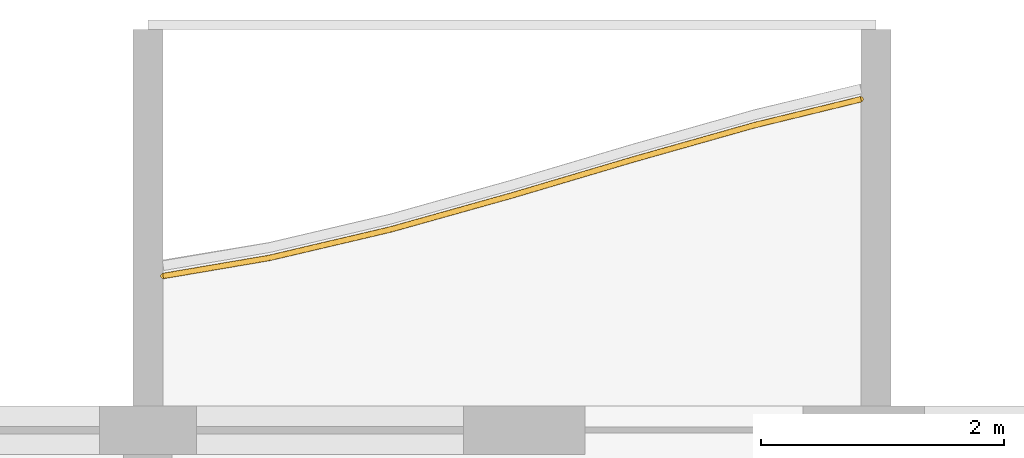
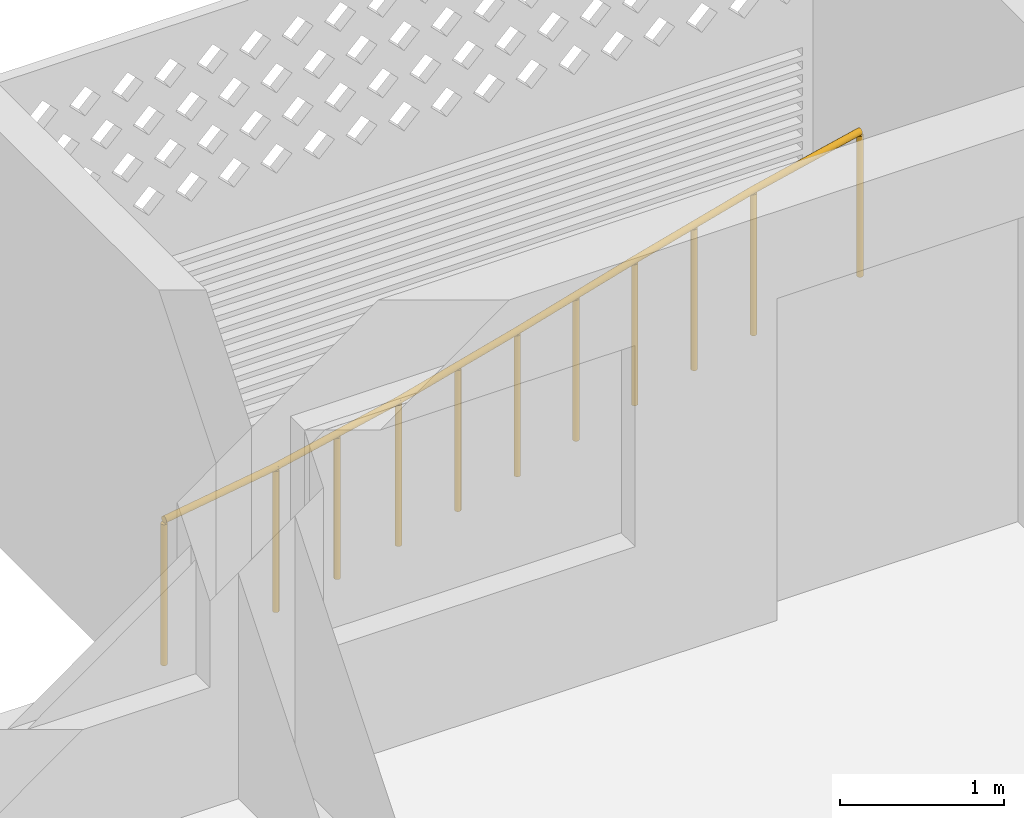
# One storey, part 26 of 40: 1 railing.
"""IFC4 building model written with IfcOpenShell, lengths in metres."""

from ifc_helpers import new_model, si_unit, direction, frame, origin, origin_2d, place, context, subcontext, project, spatial, circle, extrude, material, type_object, element, save


model = new_model("IFC4")

# Units and contexts
model_context = context("Model", 3, precision=1e-05, world=origin(), true_north=direction((0.0, 1.0)))
body_context = subcontext(model_context, "Body", "Model", "MODEL_VIEW")
ifc_project = project(units=[si_unit("LENGTHUNIT", "METRE"), si_unit("AREAUNIT", "SQUARE_METRE"), si_unit("VOLUMEUNIT", "CUBIC_METRE"), si_unit("PLANEANGLEUNIT", "RADIAN"), si_unit("MASSUNIT", "GRAM", prefix="KILO")], contexts=[model_context])

# Site, building, storey
site_placement = place(None, origin())
site = spatial("IfcSite", under=ifc_project, at=site_placement, CompositionType="ELEMENT")
building_placement = place(site_placement, origin())
building = spatial("IfcBuilding", under=site, at=building_placement, Name="Poui Terraces", CompositionType="ELEMENT")
storey_placement = place(building_placement, frame((0.0, 0.0, 39.89990234375)))
storey = spatial("IfcBuildingStorey", under=building, at=storey_placement, Name="L10", CompositionType="ELEMENT", Elevation=39.89990234375)

# Railing
ifc_material = material(Name="Painted steel fretwork", Category="steel")
railing_type = type_object("IfcRailingType", Name="BALCONY GUARD 1100", PredefinedType="GUARDRAIL", material=ifc_material)
railing_placement = place(storey_placement, frame((36.125, 46.0703125, 0.0)))
element("IfcRailing", 1, at=railing_placement, inside=storey, type_object=railing_type, Name="BALCONY GUARD", PredefinedType="GUARDRAIL", context=body_context, shape_type="SweptSolid", body=[
    extrude(circle(Radius=0.02392578125, at=origin_2d()), frame((0.0, 0.0, 1.076171875), z_axis=(0.985823105924, 0.167787972828, 0.0), x_axis=(-0.167787972828, 0.985823105924, 0.0)), (0.0, 0.0, 1.0), 0.8876953125),
    extrude(circle(Radius=0.02392578125, at=origin_2d()), frame((0.875, 0.14892578125, 1.076171875), z_axis=(0.973510598085, 0.228641893398, 0.0), x_axis=(-0.228641893398, 0.973510598085, 0.0)), (0.0, 0.0, 1.0), 1.027099609375),
    extrude(circle(Radius=0.02392578125, at=origin_2d()), frame((1.875, 0.3837890625, 1.076171875), z_axis=(0.962895626656, 0.269874067237, 0.0), x_axis=(-0.269874067237, 0.962895626656, 0.0)), (0.0, 0.0, 1.0), 1.03857421875),
    extrude(circle(Radius=0.02392578125, at=origin_2d()), frame((2.875, 0.6640625, 1.076171875), z_axis=(0.958710700624, 0.284383179018, 0.0), x_axis=(-0.284383179018, 0.958710700624, 0.0)), (0.0, 0.0, 1.0), 1.04296875),
    extrude(circle(Radius=0.02392578125, at=origin_2d()), frame((3.875, 0.960693359375, 1.076171875), z_axis=(0.962282666556, 0.272051593719, 0.0), x_axis=(-0.272051593719, 0.962282666556, 0.0)), (0.0, 0.0, 1.0), 1.039306640625),
    extrude(circle(Radius=0.02392578125, at=origin_2d()), frame((4.875, 1.243408203125, 1.076171875), z_axis=(0.971591834647, 0.236662854812, 0.0), x_axis=(-0.236662854812, 0.971591834647, 0.0)), (0.0, 0.0, 1.0), 0.900634765625),
    extrude(circle(Radius=0.02099609375, at=origin_2d()), origin(), (0.0, 0.0, 1.0), 1.052001953125),
    extrude(circle(Radius=0.02099609375, at=origin_2d()), frame((0.875, 0.14892578125, 0.0)), (0.0, 0.0, 1.0), 1.052001953125),
    extrude(circle(Radius=0.02099609375, at=origin_2d()), frame((1.375, 0.266357421875, 0.0)), (0.0, 0.0, 1.0), 1.052001953125),
    extrude(circle(Radius=0.02099609375, at=origin_2d()), frame((1.875, 0.3837890625, 0.0)), (0.0, 0.0, 1.0), 1.052001953125),
    extrude(circle(Radius=0.02099609375, at=origin_2d()), frame((2.375, 0.52392578125, 0.0)), (0.0, 0.0, 1.0), 1.052001953125),
    extrude(circle(Radius=0.02099609375, at=origin_2d()), frame((2.875, 0.6640625, 0.0)), (0.0, 0.0, 1.0), 1.052001953125),
    extrude(circle(Radius=0.02099609375, at=origin_2d()), frame((3.375, 0.8125, 0.0)), (0.0, 0.0, 1.0), 1.052001953125),
    extrude(circle(Radius=0.02099609375, at=origin_2d()), frame((3.875, 0.960693359375, 0.0)), (0.0, 0.0, 1.0), 1.052001953125),
    extrude(circle(Radius=0.02099609375, at=origin_2d()), frame((4.375, 1.10205078125, 0.0)), (0.0, 0.0, 1.0), 1.052001953125),
    extrude(circle(Radius=0.02099609375, at=origin_2d()), frame((4.875, 1.243408203125, 0.0)), (0.0, 0.0, 1.0), 1.052001953125),
    extrude(circle(Radius=0.02099609375, at=origin_2d()), frame((5.75, 1.45654296875, 0.0)), (0.0, 0.0, 1.0), 1.052001953125),
])

save(model, "model.ifc")
